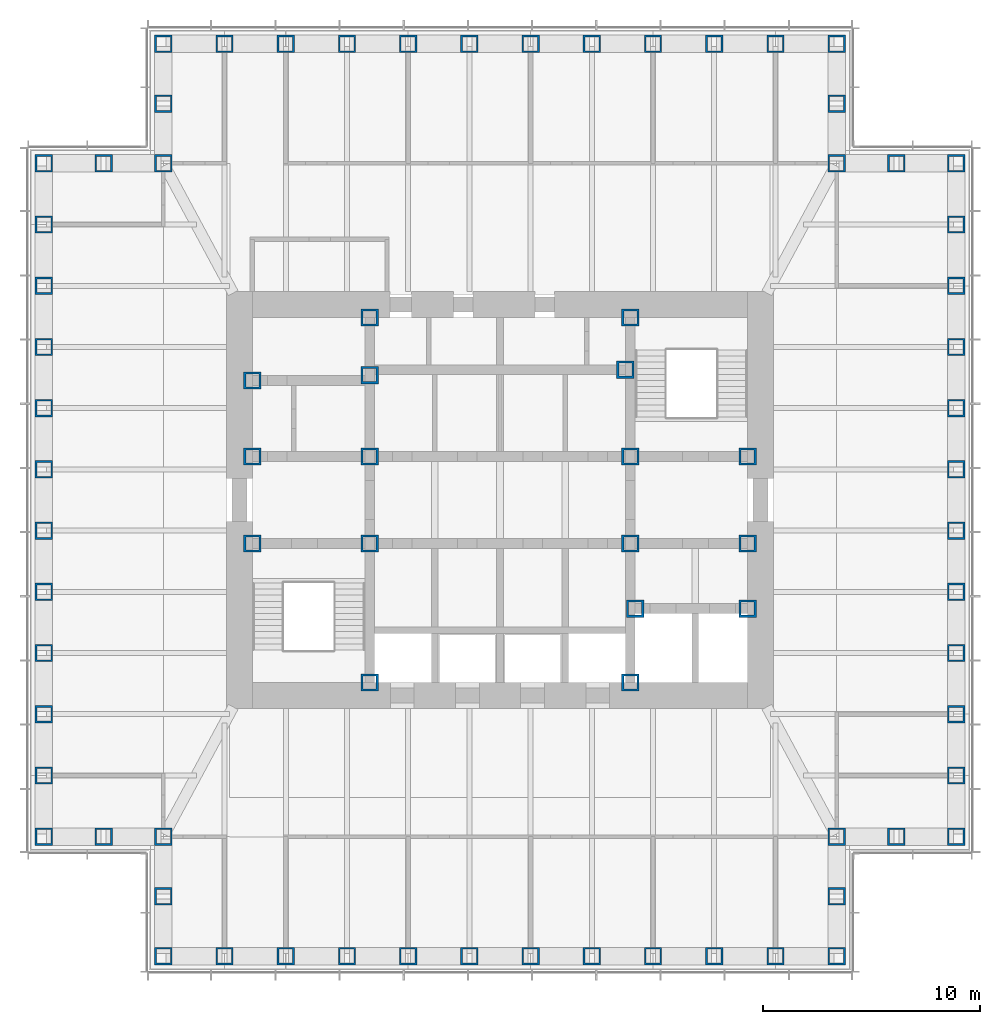
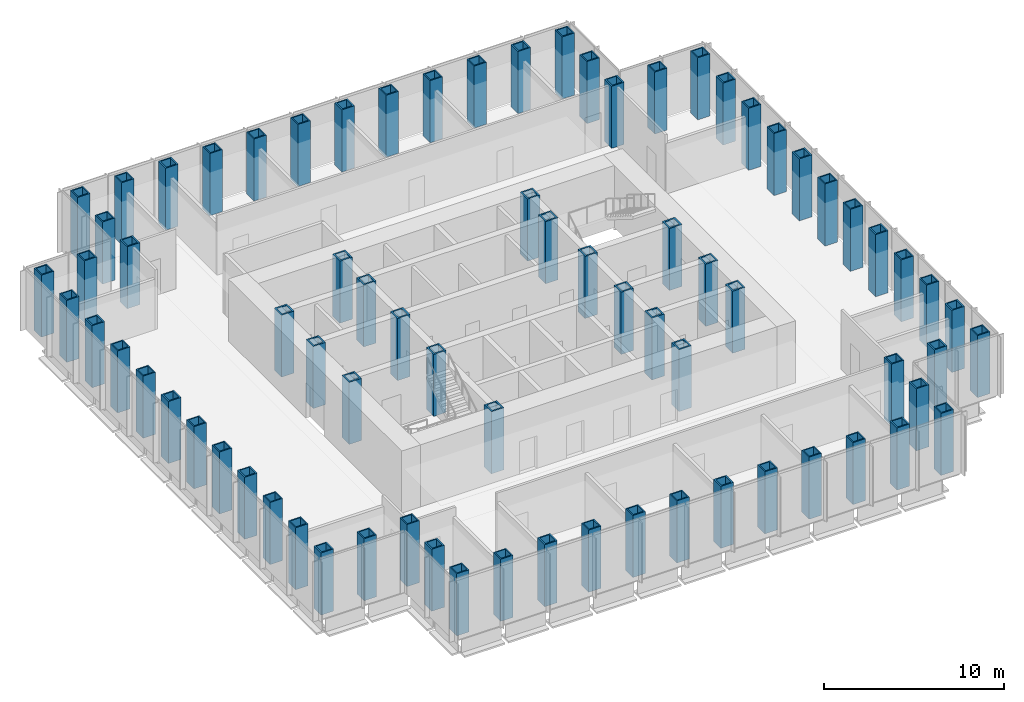
# One storey, part 1 of 16: 77 columns.
"""IFC4 building model written with IfcOpenShell, lengths in metres."""

from ifc_helpers import new_model, si_unit, direction, frame, origin, origin_2d, place, context, subcontext, project, spatial, hollow_rectangle, extrude, material, material_profile, profile_set, type_object, element, save


model = new_model("IFC4")

# Units and contexts
model_context = context("Model", 3, precision=1e-05, world=origin(), true_north=direction((0.0, 1.0)))
body_context = subcontext(model_context, "Body", "Model", "MODEL_VIEW")
ifc_project = project(units=[si_unit("LENGTHUNIT", "METRE"), si_unit("AREAUNIT", "SQUARE_METRE"), si_unit("VOLUMEUNIT", "CUBIC_METRE"), si_unit("PLANEANGLEUNIT", "RADIAN"), si_unit("MASSUNIT", "GRAM", prefix="KILO")], contexts=[model_context])

# Site, building, storey
site_placement = place(None, origin())
site = spatial("IfcSite", under=ifc_project, at=site_placement, CompositionType="ELEMENT")
building_placement = place(site_placement, origin())
building = spatial("IfcBuilding", under=site, at=building_placement, Name="Daluyong Arena Tower", CompositionType="ELEMENT")
storey_placement = place(building_placement, frame((0.0, 0.0, 219.10009765625)))
storey = spatial("IfcBuildingStorey", under=building, at=storey_placement, Name="L49", CompositionType="ELEMENT", Elevation=219.10009765625)

# Columns
ifc_material_1 = material(Name="Steel ASTM A572 Grade 50", Category="steel")
ifc_material_profile_1 = material_profile(ifc_material_1, hollow_rectangle(XDim=0.800048828125, YDim=0.800048828125, WallThickness=0.1, at=origin_2d()))
ifc_profile_set_1 = profile_set([ifc_material_profile_1], Name="Steel ASTM A572 Grade 50")
column_type_1 = type_object("IfcColumnType", Name="Core boundary column BX800X100", PredefinedType="COLUMN", material=ifc_profile_set_1)
for number, where, z_axis, x_axis, name in (
    (1, (44.60009765625, 78.0, 0.0), (0.0, 0.0, 1.0), (1.0, 0.0, 0.0), "core boundary column BC2"),
    (2, (44.60009765625, 82.0, 0.0), (0.0, 0.0, 1.0), (1.0, 0.0, 0.0), "core boundary column BC2"),
    (3, (44.60009765625, 85.5, 0.0), (0.0, 0.0, 1.0), (1.0, 0.0, 0.0), "core boundary column BC2"),
    (4, (50.0, 71.60009765625, 0.0), (0.0, 0.0, 1.0), (1.0, 0.0, 0.0), "core boundary column BC2"),
    (5, (50.0, 78.0, 0.0), (0.0, 0.0, 1.0), (1.0, 0.0, 0.0), "core boundary column BC2"),
    (6, (50.0, 82.0, 0.0), (0.0, 0.0, 1.0), (1.0, 0.0, 0.0), "core boundary column BC2"),
    (7, (50.0, 85.75, 0.0), (0.0, 0.0, 1.0), (1.0, 0.0, 0.0), "core boundary column BC2"),
    (8, (50.0, 88.39990234375, 0.0), (0.0, 0.0, 1.0), (1.0, 0.0, 0.0), "core boundary column BC2"),
    (9, (61.77490234375, 86.0, 0.0), (0.0, 0.0, 1.0), (1.0, 0.0, 0.0), "core boundary column BC2"),
    (10, (62.0, 71.60009765625, 0.0), (0.0, 0.0, 1.0), (1.0, 0.0, 0.0), "core boundary column BC2"),
    (11, (62.0, 78.0, 0.0), (0.0, 0.0, 1.0), (1.0, 0.0, 0.0), "core boundary column BC2"),
    (12, (62.0, 82.0, 0.0), (0.0, 0.0, 1.0), (1.0, 0.0, 0.0), "core boundary column BC2"),
    (13, (62.0, 88.39990234375, 0.0), (0.0, 0.0, 1.0), (1.0, 0.0, 0.0), "core boundary column BC2"),
    (14, (62.22509765625, 75.0, 0.0), (0.0, 0.0, 1.0), (1.0, 0.0, 0.0), "core boundary column BC2"),
    (15, (67.39990234375, 75.0, 0.0), (0.0, 0.0, 1.0), (1.0, 0.0, 0.0), "core boundary column BC2"),
    (16, (67.39990234375, 78.0, 0.0), (0.0, 0.0, 1.0), (1.0, 0.0, 0.0), "core boundary column BC2"),
    (17, (67.39990234375, 82.0, 0.0), (0.0, 0.0, 1.0), (1.0, 0.0, 0.0), "core boundary column BC2"),
):
    element("IfcColumn", number, at=place(storey_placement, frame(where, z_axis=z_axis, x_axis=x_axis)), inside=storey, type_object=column_type_1, Name=name, PredefinedType="COLUMN", context=body_context, shape_type="SweptSolid", body=[
        extrude(hollow_rectangle(XDim=0.800048828125, YDim=0.800048828125, WallThickness=0.1, at=origin_2d()), origin(), (0.0, 0.0, 1.0), 4.199951171875),
    ])
ifc_material_2 = material(Name="Steel ASTM A572 Grade 50", Category="steel")
ifc_material_profile_2 = material_profile(ifc_material_2, hollow_rectangle(XDim=0.800048828125, YDim=0.800048828125, WallThickness=0.08, at=origin_2d()))
ifc_profile_set_2 = profile_set([ifc_material_profile_2], Name="Steel ASTM A572 Grade 50")
column_type_2 = type_object("IfcColumnType", Name="Tube column BX800X80 BX800X80", PredefinedType="COLUMN", material=ifc_profile_set_2)
for number, where, z_axis, x_axis, name in (
    (18, (40.5, 59.0, 0.0), (0.0, 0.0, 1.0), (1.0, 0.0, 0.0), "tube column bx800x80 TC6"),
    (19, (43.318115234375, 59.0, 0.0), (0.0, 0.0, 1.0), (1.0, 0.0, 0.0), "tube column bx800x80 TC6"),
    (20, (46.136474609375, 59.0, 0.0), (0.0, 0.0, 1.0), (1.0, 0.0, 0.0), "tube column bx800x80 TC6"),
    (21, (48.95458984375, 59.0, 0.0), (0.0, 0.0, 1.0), (1.0, 0.0, 0.0), "tube column bx800x80 TC6"),
    (22, (51.772705078125, 59.0, 0.0), (0.0, 0.0, 1.0), (1.0, 0.0, 0.0), "tube column bx800x80 TC6"),
    (23, (54.5908203125, 59.0, 0.0), (0.0, 0.0, 1.0), (1.0, 0.0, 0.0), "tube column bx800x80 TC6"),
    (24, (57.4091796875, 59.0, 0.0), (0.0, 0.0, 1.0), (1.0, 0.0, 0.0), "tube column bx800x80 TC6"),
    (25, (60.227294921875, 59.0, 0.0), (0.0, 0.0, 1.0), (1.0, 0.0, 0.0), "tube column bx800x80 TC6"),
    (26, (63.04541015625, 59.0, 0.0), (0.0, 0.0, 1.0), (1.0, 0.0, 0.0), "tube column bx800x80 TC6"),
    (27, (65.863525390625, 59.0, 0.0), (0.0, 0.0, 1.0), (1.0, 0.0, 0.0), "tube column bx800x80 TC6"),
    (28, (68.681884765625, 59.0, 0.0), (0.0, 0.0, 1.0), (1.0, 0.0, 0.0), "tube column bx800x80 TC6"),
    (29, (71.5, 59.0, 0.0), (0.0, 0.0, 1.0), (0.0, 1.0, 0.0), "tube column bx800x80 TC6"),
    (30, (71.5, 61.75, 0.0), (0.0, 0.0, 1.0), (0.0, 1.0, 0.0), "tube column bx800x80 TC6"),
    (31, (71.5, 64.5, 0.0), (0.0, 0.0, 1.0), (1.0, 0.0, 0.0), "tube column bx800x80 TC6"),
    (32, (74.25, 64.5, 0.0), (0.0, 0.0, 1.0), (1.0, 0.0, 0.0), "tube column bx800x80 TC6"),
    (33, (77.0, 64.5, 0.0), (0.0, 0.0, 1.0), (0.0, 1.0, 0.0), "tube column bx800x80 TC6"),
    (34, (77.0, 67.318115234375, 0.0), (0.0, 0.0, 1.0), (0.0, 1.0, 0.0), "tube column bx800x80 TC6"),
    (35, (77.0, 70.136474609375, 0.0), (0.0, 0.0, 1.0), (0.0, 1.0, 0.0), "tube column bx800x80 TC6"),
    (36, (77.0, 72.95458984375, 0.0), (0.0, 0.0, 1.0), (0.0, 1.0, 0.0), "tube column bx800x80 TC6"),
    (37, (77.0, 75.772705078125, 0.0), (0.0, 0.0, 1.0), (0.0, 1.0, 0.0), "tube column bx800x80 TC6"),
    (38, (77.0, 78.5908203125, 0.0), (0.0, 0.0, 1.0), (0.0, 1.0, 0.0), "tube column bx800x80 TC6"),
    (39, (77.0, 81.4091796875, 0.0), (0.0, 0.0, 1.0), (0.0, 1.0, 0.0), "tube column bx800x80 TC6"),
    (40, (77.0, 84.227294921875, 0.0), (0.0, 0.0, 1.0), (0.0, 1.0, 0.0), "tube column bx800x80 TC6"),
    (41, (77.0, 87.04541015625, 0.0), (0.0, 0.0, 1.0), (0.0, 1.0, 0.0), "tube column bx800x80 TC6"),
    (42, (77.0, 89.863525390625, 0.0), (0.0, 0.0, 1.0), (0.0, 1.0, 0.0), "tube column bx800x80 TC6"),
    (43, (77.0, 92.681884765625, 0.0), (0.0, 0.0, 1.0), (0.0, 1.0, 0.0), "tube column bx800x80 TC6"),
    (44, (77.0, 95.5, 0.0), (0.0, 0.0, 1.0), (1.0, 0.0, 0.0), "tube column bx800x80 TC6"),
    (45, (74.25, 95.5, 0.0), (0.0, 0.0, 1.0), (1.0, 0.0, 0.0), "tube column bx800x80 TC6"),
    (46, (71.5, 95.5, 0.0), (0.0, 0.0, 1.0), (0.0, 1.0, 0.0), "tube column bx800x80 TC6"),
    (47, (71.5, 98.25, 0.0), (0.0, 0.0, 1.0), (0.0, 1.0, 0.0), "tube column bx800x80 TC6"),
    (48, (71.5, 101.0, 0.0), (0.0, 0.0, 1.0), (1.0, 0.0, 0.0), "tube column bx800x80 TC6"),
    (49, (68.681884765625, 101.0, 0.0), (0.0, 0.0, 1.0), (1.0, 0.0, 0.0), "tube column bx800x80 TC6"),
    (50, (65.863525390625, 101.0, 0.0), (0.0, 0.0, 1.0), (1.0, 0.0, 0.0), "tube column bx800x80 TC6"),
    (51, (63.04541015625, 101.0, 0.0), (0.0, 0.0, 1.0), (1.0, 0.0, 0.0), "tube column bx800x80 TC6"),
    (52, (60.227294921875, 101.0, 0.0), (0.0, 0.0, 1.0), (1.0, 0.0, 0.0), "tube column bx800x80 TC6"),
    (53, (57.4091796875, 101.0, 0.0), (0.0, 0.0, 1.0), (1.0, 0.0, 0.0), "tube column bx800x80 TC6"),
    (54, (54.5908203125, 101.0, 0.0), (0.0, 0.0, 1.0), (1.0, 0.0, 0.0), "tube column bx800x80 TC6"),
    (55, (51.772705078125, 101.0, 0.0), (0.0, 0.0, 1.0), (1.0, 0.0, 0.0), "tube column bx800x80 TC6"),
    (56, (48.95458984375, 101.0, 0.0), (0.0, 0.0, 1.0), (1.0, 0.0, 0.0), "tube column bx800x80 TC6"),
    (57, (46.136474609375, 101.0, 0.0), (0.0, 0.0, 1.0), (1.0, 0.0, 0.0), "tube column bx800x80 TC6"),
    (58, (43.318115234375, 101.0, 0.0), (0.0, 0.0, 1.0), (1.0, 0.0, 0.0), "tube column bx800x80 TC6"),
    (59, (40.5, 101.0, 0.0), (0.0, 0.0, 1.0), (0.0, 1.0, 0.0), "tube column bx800x80 TC6"),
    (60, (40.5, 98.25, 0.0), (0.0, 0.0, 1.0), (0.0, 1.0, 0.0), "tube column bx800x80 TC6"),
    (61, (40.5, 95.5, 0.0), (0.0, 0.0, 1.0), (1.0, 0.0, 0.0), "tube column bx800x80 TC6"),
    (62, (37.75, 95.5, 0.0), (0.0, 0.0, 1.0), (1.0, 0.0, 0.0), "tube column bx800x80 TC6"),
    (63, (35.0, 95.5, 0.0), (0.0, 0.0, 1.0), (0.0, 1.0, 0.0), "tube column bx800x80 TC6"),
    (64, (35.0, 92.681884765625, 0.0), (0.0, 0.0, 1.0), (0.0, 1.0, 0.0), "tube column bx800x80 TC6"),
    (65, (35.0, 89.863525390625, 0.0), (0.0, 0.0, 1.0), (0.0, 1.0, 0.0), "tube column bx800x80 TC6"),
    (66, (35.0, 87.04541015625, 0.0), (0.0, 0.0, 1.0), (0.0, 1.0, 0.0), "tube column bx800x80 TC6"),
    (67, (35.0, 84.227294921875, 0.0), (0.0, 0.0, 1.0), (0.0, 1.0, 0.0), "tube column bx800x80 TC6"),
    (68, (35.0, 81.4091796875, 0.0), (0.0, 0.0, 1.0), (0.0, 1.0, 0.0), "tube column bx800x80 TC6"),
    (69, (35.0, 78.5908203125, 0.0), (0.0, 0.0, 1.0), (0.0, 1.0, 0.0), "tube column bx800x80 TC6"),
    (70, (35.0, 75.772705078125, 0.0), (0.0, 0.0, 1.0), (0.0, 1.0, 0.0), "tube column bx800x80 TC6"),
    (71, (35.0, 72.95458984375, 0.0), (0.0, 0.0, 1.0), (0.0, 1.0, 0.0), "tube column bx800x80 TC6"),
    (72, (35.0, 70.136474609375, 0.0), (0.0, 0.0, 1.0), (0.0, 1.0, 0.0), "tube column bx800x80 TC6"),
    (73, (35.0, 67.318115234375, 0.0), (0.0, 0.0, 1.0), (0.0, 1.0, 0.0), "tube column bx800x80 TC6"),
    (74, (35.0, 64.5, 0.0), (0.0, 0.0, 1.0), (1.0, 0.0, 0.0), "tube column bx800x80 TC6"),
    (75, (37.75, 64.5, 0.0), (0.0, 0.0, 1.0), (1.0, 0.0, 0.0), "tube column bx800x80 TC6"),
    (76, (40.5, 64.5, 0.0), (0.0, 0.0, 1.0), (0.0, 1.0, 0.0), "tube column bx800x80 TC6"),
    (77, (40.5, 61.75, 0.0), (0.0, 0.0, 1.0), (0.0, 1.0, 0.0), "tube column bx800x80 TC6"),
):
    element("IfcColumn", number, at=place(storey_placement, frame(where, z_axis=z_axis, x_axis=x_axis)), inside=storey, type_object=column_type_2, Name=name, PredefinedType="COLUMN", context=body_context, shape_type="SweptSolid", body=[
        extrude(hollow_rectangle(XDim=0.800048828125, YDim=0.800048828125, WallThickness=0.08, at=origin_2d()), origin(), (0.0, 0.0, 1.0), 4.199951171875),
    ])

save(model, "model.ifc")
